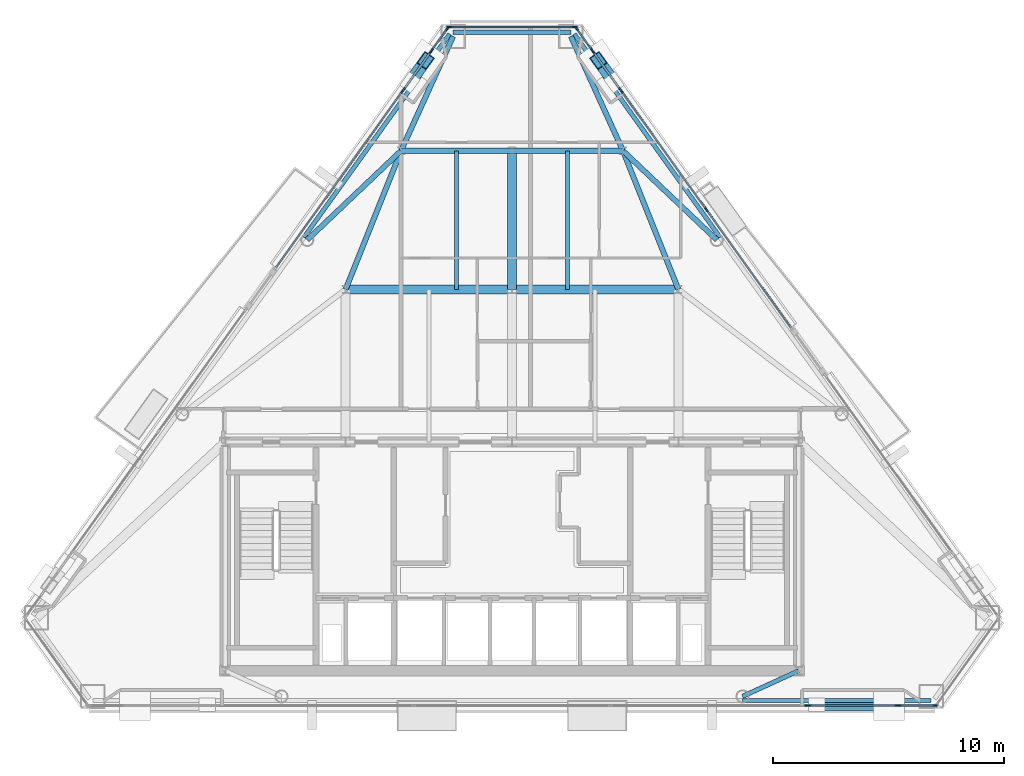
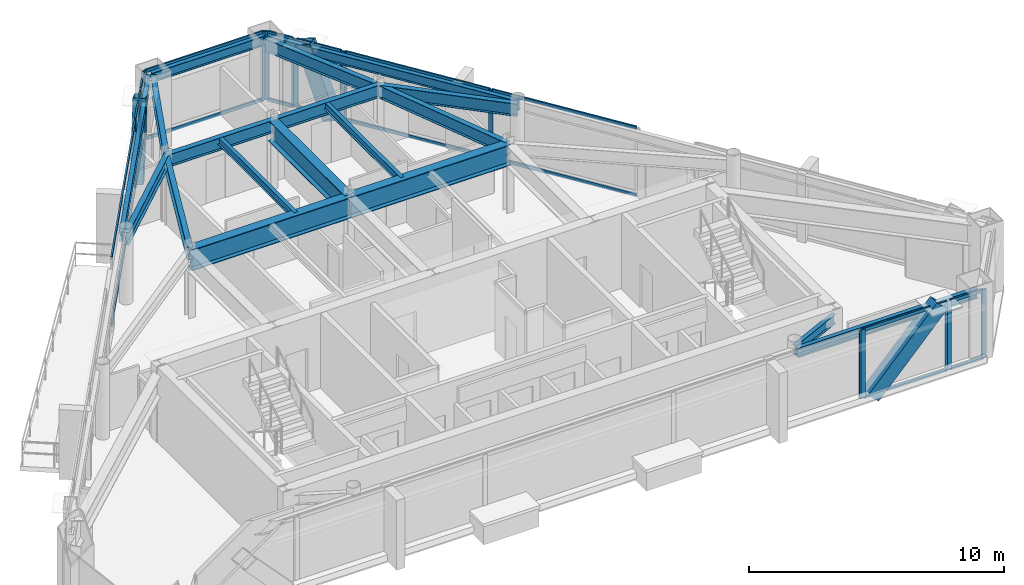
# One storey, part 4 of 11: 41 members, 18 beams, 10 elements without a shape of their own.
"""IFC4 building model written with IfcOpenShell, lengths in metres."""

from ifc_helpers import new_model, si_unit, direction, frame, origin, origin_2d, place, context, subcontext, project, spatial, rectangle, hollow_rectangle, i_section, extrude, material, layer, layer_set, material_profile, profile_set, type_object, element, aggregate, save


model = new_model("IFC4")

# Units and contexts
model_context = context("Model", 3, precision=1e-05, world=origin(), true_north=direction((0.0, 1.0)))
body_context = subcontext(model_context, "Body", "Model", "MODEL_VIEW")
ifc_project = project(units=[si_unit("LENGTHUNIT", "METRE"), si_unit("AREAUNIT", "SQUARE_METRE"), si_unit("VOLUMEUNIT", "CUBIC_METRE"), si_unit("PLANEANGLEUNIT", "RADIAN"), si_unit("MASSUNIT", "GRAM", prefix="KILO")], contexts=[model_context])

# Site, building, storey
site_placement = place(None, origin())
site = spatial("IfcSite", under=ifc_project, at=site_placement, CompositionType="ELEMENT")
building_placement = place(site_placement, origin())
building = spatial("IfcBuilding", under=site, at=building_placement, Name="Talgorran Terracotta Tower", CompositionType="ELEMENT")
storey_placement = place(building_placement, frame((0.0, 0.0, 240.60009765625)))
storey = spatial("IfcBuildingStorey", under=building, at=storey_placement, Name="L63", CompositionType="ELEMENT", Elevation=240.60009765625)

# Beams
ifc_material_1 = material(Name="Steel Grade 350 (350L0)", Category="steel")
ifc_material_profile_1 = material_profile(ifc_material_1, i_section(OverallWidth=0.39990234375, OverallDepth=1.0, WebThickness=0.01611328125, FlangeThickness=0.031005859375, at=origin_2d()), Name="1000WB296")
ifc_profile_set_1 = profile_set([ifc_material_profile_1], Name="Steel Grade 350 (350L0)")
beam_type_1 = type_object("IfcBeamType", Name="BM_1000WB296", PredefinedType="BEAM", material=ifc_profile_set_1)
for number, where, z_axis, x_axis, name in (
    (1, (-7.199951171875, 2.39990234375, 2.77978515625), (1.0, 0.0, 0.0), (0.0, 1.0, 0.0), "L63 Floor Girder G04"),
    (2, (0.0, 2.39990234375, 2.77978515625), (1.0, 0.0, 0.0), (0.0, 1.0, 0.0), "L63 Floor Girder G05"),
):
    element("IfcBeam", number, at=place(storey_placement, frame(where, z_axis=z_axis, x_axis=x_axis)), inside=storey, type_object=beam_type_1, Name=name, PredefinedType="BEAM", context=body_context, shape_type="SweptSolid", body=[
        extrude(i_section(OverallWidth=0.39990234375, OverallDepth=1.0, WebThickness=0.01611328125, FlangeThickness=0.031005859375, at=origin_2d()), origin(), (0.0, 0.0, 1.0), 7.199951171875),
    ])
beam_1_placement = place(storey_placement, frame((0.0, 2.39990234375, 2.77978515625), z_axis=(0.0, 1.0, 0.0), x_axis=(-1.0, 0.0, 0.0)))
element("IfcBeam", 3, at=beam_1_placement, inside=storey, type_object=beam_type_1, Name="L63 Floor Girder G09", PredefinedType="BEAM", context=body_context, shape_type="SweptSolid", body=[
    extrude(i_section(OverallWidth=0.39990234375, OverallDepth=1.0, WebThickness=0.01611328125, FlangeThickness=0.031005859375, at=origin_2d()), origin(), (0.0, 0.0, 1.0), 6.0),
])
ifc_material_2 = material(Name="Steel S355 (300PLUS)", Category="steel")
ifc_material_profile_2 = material_profile(ifc_material_2, i_section(OverallWidth=0.22802734375, OverallDepth=0.60205078125, WebThickness=0.010498046875, FlangeThickness=0.014892578125, at=origin_2d()), Name="610UB101")
ifc_profile_set_2 = profile_set([ifc_material_profile_2], Name="Steel S355 (300PLUS)")
beam_type_2 = type_object("IfcBeamType", Name="BM_610UB101", PredefinedType="BEAM", material=ifc_profile_set_2)
for number, where, z_axis, x_axis, name in (
    (4, (-7.199951171875, 2.39990234375, 2.97900390625), (0.371377648723, 0.928481901832, 0.0), (-0.928481901832, 0.371377648723, 0.0), "L63 Floor Girder G08"),
    (5, (7.199951171875, 2.39990234375, 2.97900390625), (-0.371377648723, 0.928481901832, 0.0), (-0.928481901832, -0.371377648723, 0.0), "L63 Floor Girder G10"),
):
    element("IfcBeam", number, at=place(storey_placement, frame(where, z_axis=z_axis, x_axis=x_axis)), inside=storey, type_object=beam_type_2, Name=name, PredefinedType="BEAM", context=body_context, shape_type="SweptSolid", body=[
        extrude(i_section(OverallWidth=0.22802734375, OverallDepth=0.60205078125, WebThickness=0.010498046875, FlangeThickness=0.014892578125, at=origin_2d()), origin(), (0.0, 0.0, 1.0), 6.462158203125),
    ])
for number, where, z_axis, x_axis, name in (
    (6, (-4.800048828125, 8.39990234375, 2.97900390625), (1.0, 0.0, 0.0), (0.0, 1.0, 0.0), "L63 Floor Girder G11"),
    (7, (0.0, 8.39990234375, 2.97900390625), (1.0, 0.0, 0.0), (0.0, 1.0, 0.0), "L63 Floor Girder G12"),
):
    element("IfcBeam", number, at=place(storey_placement, frame(where, z_axis=z_axis, x_axis=x_axis)), inside=storey, type_object=beam_type_2, Name=name, PredefinedType="BEAM", context=body_context, shape_type="SweptSolid", body=[
        extrude(i_section(OverallWidth=0.22802734375, OverallDepth=0.60205078125, WebThickness=0.010498046875, FlangeThickness=0.014892578125, at=origin_2d()), origin(), (0.0, 0.0, 1.0), 4.800048828125),
    ])
for number, where, z_axis, x_axis, name in (
    (8, (-4.800048828125, 8.39990234375, 2.97900390625), (-0.725126847578, -0.688615317083, 0.0), (0.688615317083, -0.725126847578, 0.0), "L63 Floor Girder G13"),
    (9, (4.800048828125, 8.39990234375, 2.97900390625), (0.725126847578, -0.688615317083, 0.0), (0.688615317083, 0.725126847578, 0.0), "L63 Floor Girder G14"),
):
    element("IfcBeam", number, at=place(storey_placement, frame(where, z_axis=z_axis, x_axis=x_axis)), inside=storey, type_object=beam_type_2, Name=name, PredefinedType="BEAM", context=body_context, shape_type="SweptSolid", body=[
        extrude(i_section(OverallWidth=0.22802734375, OverallDepth=0.60205078125, WebThickness=0.010498046875, FlangeThickness=0.014892578125, at=origin_2d()), origin(), (0.0, 0.0, 1.0), 5.5966796875),
    ])
for number, where, z_axis, x_axis, name in (
    (10, (-4.800048828125, 8.39990234375, 2.97900390625), (0.414262979991, 0.910157230048, 0.0), (-0.910157230048, 0.414262979991, 0.0), "L63 Floor Girder G15"),
    (11, (4.800048828125, 8.39990234375, 2.97900390625), (-0.414262979991, 0.910157230048, 0.0), (-0.910157230048, -0.414262979991, 0.0), "L63 Floor Girder G16"),
):
    element("IfcBeam", number, at=place(storey_placement, frame(where, z_axis=z_axis, x_axis=x_axis)), inside=storey, type_object=beam_type_2, Name=name, PredefinedType="BEAM", context=body_context, shape_type="SweptSolid", body=[
        extrude(i_section(OverallWidth=0.22802734375, OverallDepth=0.60205078125, WebThickness=0.010498046875, FlangeThickness=0.014892578125, at=origin_2d()), origin(), (0.0, 0.0, 1.0), 5.437255859375),
    ])
ifc_material_profile_3 = material_profile(ifc_material_2, i_section(OverallWidth=0.17138671875, OverallDepth=0.355712890625, WebThickness=0.00732421875, FlangeThickness=0.011474609375, at=origin_2d()), Name="360UB50.7")
ifc_profile_set_3 = profile_set([ifc_material_profile_3], Name="Steel S355 (300PLUS)")
beam_type_3 = type_object("IfcBeamType", Name="BM_JS_360UB51", PredefinedType="JOIST", material=ifc_profile_set_3)
for number, where, z_axis, x_axis, name in (
    (12, (-2.39990234375, 2.39990234375, 3.10205078125), (0.0, 1.0, 0.0), (-1.0, 0.0, 0.0), "L63 Secondary Joist J03"),
    (13, (2.39990234375, 2.39990234375, 3.10205078125), (0.0, 1.0, 0.0), (-1.0, 0.0, 0.0), "L63 Secondary Joist J04"),
):
    element("IfcBeam", number, at=place(storey_placement, frame(where, z_axis=z_axis, x_axis=x_axis)), inside=storey, type_object=beam_type_3, Name=name, PredefinedType="JOIST", context=body_context, shape_type="SweptSolid", body=[
        extrude(i_section(OverallWidth=0.17138671875, OverallDepth=0.355712890625, WebThickness=0.00732421875, FlangeThickness=0.011474609375, at=origin_2d()), origin(), (0.0, 0.0, 1.0), 6.0),
    ])
ifc_material_profile_4 = material_profile(ifc_material_2, i_section(OverallWidth=0.18994140625, OverallDepth=0.45703125, WebThickness=0.009033203125, FlangeThickness=0.014404296875, at=origin_2d()), Name="460UB74.6")
ifc_profile_set_4 = profile_set([ifc_material_profile_4], Name="Steel S355 (300PLUS)")
beam_type_4 = type_object("IfcBeamType", Name="BM_SP_460UB74", PredefinedType="SPANDREL", material=ifc_profile_set_4)
beam_2_placement = place(storey_placement, frame((9.9755859375, -15.3876953125, 3.051513671875), z_axis=(1.0, 0.0, 0.0), x_axis=(0.0, 1.0, 0.0)))
element("IfcBeam", 14, at=beam_2_placement, inside=storey, type_object=beam_type_4, Name="L63 Perimeter Spandrel Beam FC2-MC3", PredefinedType="SPANDREL", context=body_context, shape_type="SweptSolid", body=[
    extrude(i_section(OverallWidth=0.18994140625, OverallDepth=0.45703125, WebThickness=0.009033203125, FlangeThickness=0.014404296875, at=origin_2d()), origin(), (0.0, 0.0, 1.0), 8.16162109375),
])
beam_3_placement = place(storey_placement, frame((9.0048828125, 4.65087890625, 3.051513671875), z_axis=(-0.5826658635, 0.812711813321, 0.0), x_axis=(-0.812711813321, -0.5826658635, 0.0)))
element("IfcBeam", 15, at=beam_3_placement, inside=storey, type_object=beam_type_4, Name="L63 Perimeter Spandrel Beam FC4-MC5", PredefinedType="SPANDREL", context=body_context, shape_type="SweptSolid", body=[
    extrude(i_section(OverallWidth=0.18994140625, OverallDepth=0.45703125, WebThickness=0.009033203125, FlangeThickness=0.014404296875, at=origin_2d()), origin(), (0.0, 0.0, 1.0), 10.831298828125),
])
beam_4_placement = place(storey_placement, frame((2.547607421875, 13.528564453125, 3.051513671875), z_axis=(-1.0, 0.0, 0.0), x_axis=(0.0, -1.0, 0.0)))
element("IfcBeam", 16, at=beam_4_placement, inside=storey, type_object=beam_type_4, Name="L63 Perimeter Spandrel Beam MC5-MC6", PredefinedType="SPANDREL", context=body_context, shape_type="SweptSolid", body=[
    extrude(i_section(OverallWidth=0.18994140625, OverallDepth=0.45703125, WebThickness=0.009033203125, FlangeThickness=0.014404296875, at=origin_2d()), origin(), (0.0, 0.0, 1.0), 5.09521484375),
])
beam_5_placement = place(storey_placement, frame((-2.69384765625, 13.45361328125, 3.051513671875), z_axis=(-0.5826658635, -0.812711813321, 0.0), x_axis=(0.812711813321, -0.5826658635, 0.0)))
element("IfcBeam", 17, at=beam_5_placement, inside=storey, type_object=beam_type_4, Name="L63 Perimeter Spandrel Beam MC6-FC5", PredefinedType="SPANDREL", context=body_context, shape_type="SweptSolid", body=[
    extrude(i_section(OverallWidth=0.18994140625, OverallDepth=0.45703125, WebThickness=0.009033203125, FlangeThickness=0.014404296875, at=origin_2d()), origin(), (0.0, 0.0, 1.0), 10.831298828125),
])
beam_6_placement = place(storey_placement, frame((12.39990234375, -14.10009765625, 3.051513671875), z_axis=(-0.909558570389, -0.415575753661, 0.0), x_axis=(0.415575753661, -0.909558570389, 0.0)))
element("IfcBeam", 18, at=beam_6_placement, inside=storey, type_object=beam_type_4, Name="L63 South-East Core Tie Beam", PredefinedType="SPANDREL", context=body_context, shape_type="SweptSolid", body=[
    extrude(i_section(OverallWidth=0.18994140625, OverallDepth=0.45703125, WebThickness=0.009033203125, FlangeThickness=0.014404296875, at=origin_2d()), origin(), (0.0, 0.0, 1.0), 2.665283203125),
])

# Members
ifc_material_profile_5 = material_profile(ifc_material_1, hollow_rectangle(XDim=0.52001953125, YDim=0.659912109375, WallThickness=0.034912109375, at=origin_2d()), Name="WBOX660X520X35")
ifc_profile_set_5 = profile_set([ifc_material_profile_5], Name="Steel Grade 350 (350L0)")
member_type_1 = type_object("IfcMemberType", Name="MB_MEGA_660", PredefinedType="BRACE", material=ifc_profile_set_5)
member_1_placement = place(storey_placement, frame((13.19189453125, -15.56787109375, -0.025146484375), z_axis=(0.683100018247, 0.0, 0.73032483531), x_axis=(0.0, 1.0, 0.0)))
element("IfcMember", 19, at=member_1_placement, inside=storey, type_object=member_type_1, Name="L63 Exterior Face Mega-Brace MB-3 (SEF)", PredefinedType="BRACE", context=body_context, shape_type="SweptSolid", body=[
    extrude(hollow_rectangle(XDim=0.52001953125, YDim=0.659912109375, WallThickness=0.034912109375, at=origin_2d()), origin(), (0.0, 0.0, 1.0), 4.559814453125),
])
for number, where, z_axis, x_axis, name in (
    (20, (4.414794921875, 11.361572265625, -0.025146484375), (-0.191823741861, 0.26762561748, 0.944235236012), (-0.81278062657, -0.582569869691, 0.0), "L63 Exterior Face Mega-Brace MB-3 (NEU)"),
    (21, (-4.414794921875, 11.361572265625, -0.025146484375), (0.191823741861, 0.26762561748, 0.944235236012), (-0.81278062657, 0.582569869691, 0.0), "L63 Exterior Face Mega-Brace MB-3 (NWU)"),
):
    element("IfcMember", number, at=place(storey_placement, frame(where, z_axis=z_axis, x_axis=x_axis)), inside=storey, type_object=member_type_1, Name=name, PredefinedType="BRACE", context=body_context, shape_type="SweptSolid", body=[
        extrude(hollow_rectangle(XDim=0.52001953125, YDim=0.659912109375, WallThickness=0.034912109375, at=origin_2d()), origin(), (0.0, 0.0, 1.0), 3.52685546875),
    ])

# Curtain wall, member
ifc_material_3 = material(Name="High-Wind Unitised Glazing", Category="glass")
ifc_layer = layer(ifc_material_3, 0.2099609375, Name="CW_SYS3_RES_HIGH")
ifc_layer_set = layer_set([ifc_layer], Name="High-Wind Unitised Glazing")
curtain_wall_type = type_object("IfcCurtainWallType", Name="CW_SYS3_RES_HIGH", PredefinedType="NOTDEFINED", material=ifc_layer_set)
curtain_wall_1_placement = place(storey_placement, origin())
curtain_wall_1 = element("IfcCurtainWall", 22, at=curtain_wall_1_placement, inside=storey, type_object=curtain_wall_type, Name="CW-L63-F1C", PredefinedType="NOTDEFINED")
ifc_material_4 = material(Name="Architectural Aluminium 6063-T6", Category="aluminium")
ifc_material_profile_6 = material_profile(ifc_material_4, rectangle(XDim=0.070068359375, YDim=0.199951171875, at=origin_2d()), Name="CWM70X200")
ifc_profile_set_6 = profile_set([ifc_material_profile_6], Name="Architectural Aluminium 6063-T6")
member_type_2 = type_object("IfcMemberType", Name="MUL_70X200", PredefinedType="MULLION", material=ifc_profile_set_6)
member_2_placement = place(storey_placement, frame((12.7607421875, -15.60791015625, 0.0), z_axis=(0.0, 0.0, 1.0), x_axis=(0.0, 1.0, 0.0)))
member_2 = element("IfcMember", 23, at=member_2_placement, type_object=member_type_2, Name="CW-L63-1C mullion 4", PredefinedType="MULLION", context=body_context, shape_type="SweptSolid", body=[
    extrude(rectangle(XDim=0.070068359375, YDim=0.199951171875, at=origin_2d()), origin(), (0.0, 0.0, 1.0), 3.27978515625),
])
aggregate(curtain_wall_1, [member_2])

# Curtain wall, members
curtain_wall_2_placement = place(storey_placement, origin())
curtain_wall_2 = element("IfcCurtainWall", 24, at=curtain_wall_2_placement, inside=storey, type_object=curtain_wall_type, Name="CW-L63-F1D", PredefinedType="NOTDEFINED")
member_3_placement = place(storey_placement, frame((12.8408203125, -15.60791015625, 0.0), z_axis=(0.0, 0.0, 1.0), x_axis=(0.0, 1.0, 0.0)))
member_3 = element("IfcMember", 25, at=member_3_placement, type_object=member_type_2, Name="CW-L63-1D mullion 1", PredefinedType="MULLION", context=body_context, shape_type="SweptSolid", body=[
    extrude(rectangle(XDim=0.070068359375, YDim=0.199951171875, at=origin_2d()), origin(), (0.0, 0.0, 1.0), 3.27978515625),
])
member_4_placement = place(storey_placement, frame((16.65771484375, -15.60791015625, 0.0), z_axis=(0.0, 0.0, 1.0), x_axis=(0.0, 1.0, 0.0)))
member_4 = element("IfcMember", 26, at=member_4_placement, type_object=member_type_2, Name="CW-L63-1D mullion 2", PredefinedType="MULLION", context=body_context, shape_type="SweptSolid", body=[
    extrude(rectangle(XDim=0.070068359375, YDim=0.199951171875, at=origin_2d()), origin(), (0.0, 0.0, 1.0), 3.27978515625),
])

curtain_wall_3_placement = place(storey_placement, origin())
curtain_wall_3 = element("IfcCurtainWall", 27, at=curtain_wall_3_placement, inside=storey, type_object=curtain_wall_type, Name="CW-L63-F1E", PredefinedType="NOTDEFINED")
member_5_placement = place(storey_placement, frame((16.737548828125, -15.60791015625, 0.0), z_axis=(0.0, 0.0, 1.0), x_axis=(0.0, 1.0, 0.0)))
member_5 = element("IfcMember", 28, at=member_5_placement, type_object=member_type_2, Name="CW-L63-1E mullion 1", PredefinedType="MULLION", context=body_context, shape_type="SweptSolid", body=[
    extrude(rectangle(XDim=0.070068359375, YDim=0.199951171875, at=origin_2d()), origin(), (0.0, 0.0, 1.0), 3.27978515625),
])
member_6_placement = place(storey_placement, frame((18.3076171875, -15.60791015625, 0.0), z_axis=(0.0, 0.0, 1.0), x_axis=(0.0, 1.0, 0.0)))
member_6 = element("IfcMember", 29, at=member_6_placement, type_object=member_type_2, Name="CW-L63-1E mullion 2", PredefinedType="MULLION", context=body_context, shape_type="SweptSolid", body=[
    extrude(rectangle(XDim=0.070068359375, YDim=0.199951171875, at=origin_2d()), origin(), (0.0, 0.0, 1.0), 3.27978515625),
])

curtain_wall_4_placement = place(storey_placement, origin())
curtain_wall_4 = element("IfcCurtainWall", 30, at=curtain_wall_4_placement, inside=storey, type_object=curtain_wall_type, Name="CW-L63-F41", PredefinedType="NOTDEFINED")
member_7_placement = place(storey_placement, frame((8.412109375, 5.85498046875, 0.0), z_axis=(0.0, 0.0, 1.0), x_axis=(-0.812715136848, -0.582661227763, 0.0)))
member_7 = element("IfcMember", 31, at=member_7_placement, type_object=member_type_2, Name="CW-L63-41 mullion 2", PredefinedType="MULLION", context=body_context, shape_type="SweptSolid", body=[
    extrude(rectangle(XDim=0.070068359375, YDim=0.199951171875, at=origin_2d()), origin(), (0.0, 0.0, 1.0), 3.27978515625),
])
member_8_placement = place(storey_placement, frame((4.73974609375, 10.977294921875, 0.0), z_axis=(0.0, 0.0, 1.0), x_axis=(-0.812715136848, -0.582661227763, 0.0)))
member_8 = element("IfcMember", 32, at=member_8_placement, type_object=member_type_2, Name="CW-L63-41 mullion 3", PredefinedType="MULLION", context=body_context, shape_type="SweptSolid", body=[
    extrude(rectangle(XDim=0.070068359375, YDim=0.199951171875, at=origin_2d()), origin(), (0.0, 0.0, 1.0), 3.27978515625),
])

curtain_wall_5_placement = place(storey_placement, origin())
curtain_wall_5 = element("IfcCurtainWall", 33, at=curtain_wall_5_placement, inside=storey, type_object=curtain_wall_type, Name="CW-L63-F41B", PredefinedType="NOTDEFINED")
member_9_placement = place(storey_placement, frame((4.693115234375, 11.042236328125, 0.0), z_axis=(0.0, 0.0, 1.0), x_axis=(-0.812702995802, -0.582678162123, 0.0)))
member_9 = element("IfcMember", 34, at=member_9_placement, type_object=member_type_2, Name="CW-L63-41B mullion 1", PredefinedType="MULLION", context=body_context, shape_type="SweptSolid", body=[
    extrude(rectangle(XDim=0.070068359375, YDim=0.199951171875, at=origin_2d()), origin(), (0.0, 0.0, 1.0), 3.27978515625),
])
member_10_placement = place(storey_placement, frame((3.525146484375, 12.67138671875, 0.0), z_axis=(0.0, 0.0, 1.0), x_axis=(-0.812702995802, -0.582678162123, 0.0)))
member_10 = element("IfcMember", 35, at=member_10_placement, type_object=member_type_2, Name="CW-L63-41B mullion 2", PredefinedType="MULLION", context=body_context, shape_type="SweptSolid", body=[
    extrude(rectangle(XDim=0.070068359375, YDim=0.199951171875, at=origin_2d()), origin(), (0.0, 0.0, 1.0), 3.27978515625),
])

curtain_wall_6_placement = place(storey_placement, origin())
curtain_wall_6 = element("IfcCurtainWall", 36, at=curtain_wall_6_placement, inside=storey, type_object=curtain_wall_type, Name="CW-L63-F41C", PredefinedType="NOTDEFINED")
member_11_placement = place(storey_placement, frame((3.478515625, 12.736572265625, 0.0), z_axis=(0.0, 0.0, 1.0), x_axis=(-0.812702588192, -0.582678730645, 0.0)))
member_11 = element("IfcMember", 37, at=member_11_placement, type_object=member_type_2, Name="CW-L63-41C mullion 1", PredefinedType="MULLION", context=body_context, shape_type="SweptSolid", body=[
    extrude(rectangle(XDim=0.070068359375, YDim=0.199951171875, at=origin_2d()), origin(), (0.0, 0.0, 1.0), 3.27978515625),
])
member_12_placement = place(storey_placement, frame((2.796630859375, 13.687744140625, 0.0), z_axis=(0.0, 0.0, 1.0), x_axis=(-0.812702588192, -0.582678730645, 0.0)))
member_12 = element("IfcMember", 38, at=member_12_placement, type_object=member_type_2, Name="CW-L63-41C mullion 2", PredefinedType="MULLION", context=body_context, shape_type="SweptSolid", body=[
    extrude(rectangle(XDim=0.070068359375, YDim=0.199951171875, at=origin_2d()), origin(), (0.0, 0.0, 1.0), 3.27978515625),
])

curtain_wall_7_placement = place(storey_placement, origin())
curtain_wall_7 = element("IfcCurtainWall", 39, at=curtain_wall_7_placement, inside=storey, type_object=curtain_wall_type, Name="CW-L63-F4", PredefinedType="NOTDEFINED")
member_13_placement = place(storey_placement, frame((2.718017578125, 13.74853515625, 0.0), z_axis=(0.0, 0.0, 1.0), x_axis=(0.0, -1.0, 0.0)))
member_13 = element("IfcMember", 40, at=member_13_placement, type_object=member_type_2, Name="CW-L63-4 mullion 1", PredefinedType="MULLION", context=body_context, shape_type="SweptSolid", body=[
    extrude(rectangle(XDim=0.070068359375, YDim=0.199951171875, at=origin_2d()), origin(), (0.0, 0.0, 1.0), 3.27978515625),
])
member_14_placement = place(storey_placement, frame((-2.718017578125, 13.74853515625, 0.0), z_axis=(0.0, 0.0, 1.0), x_axis=(0.0, -1.0, 0.0)))
member_14 = element("IfcMember", 41, at=member_14_placement, type_object=member_type_2, Name="CW-L63-4 mullion 2", PredefinedType="MULLION", context=body_context, shape_type="SweptSolid", body=[
    extrude(rectangle(XDim=0.070068359375, YDim=0.199951171875, at=origin_2d()), origin(), (0.0, 0.0, 1.0), 3.27978515625),
])

curtain_wall_8_placement = place(storey_placement, origin())
curtain_wall_8 = element("IfcCurtainWall", 42, at=curtain_wall_8_placement, inside=storey, type_object=curtain_wall_type, Name="CW-L63-F60", PredefinedType="NOTDEFINED")
member_15_placement = place(storey_placement, frame((-2.796630859375, 13.687744140625, 0.0), z_axis=(0.0, 0.0, 1.0), x_axis=(0.812702588192, -0.582678730645, 0.0)))
member_15 = element("IfcMember", 43, at=member_15_placement, type_object=member_type_2, Name="CW-L63-60 mullion 1", PredefinedType="MULLION", context=body_context, shape_type="SweptSolid", body=[
    extrude(rectangle(XDim=0.070068359375, YDim=0.199951171875, at=origin_2d()), origin(), (0.0, 0.0, 1.0), 3.27978515625),
])
member_16_placement = place(storey_placement, frame((-3.478515625, 12.736572265625, 0.0), z_axis=(0.0, 0.0, 1.0), x_axis=(0.812702588192, -0.582678730645, 0.0)))
member_16 = element("IfcMember", 44, at=member_16_placement, type_object=member_type_2, Name="CW-L63-60 mullion 2", PredefinedType="MULLION", context=body_context, shape_type="SweptSolid", body=[
    extrude(rectangle(XDim=0.070068359375, YDim=0.199951171875, at=origin_2d()), origin(), (0.0, 0.0, 1.0), 3.27978515625),
])

curtain_wall_9_placement = place(storey_placement, origin())
curtain_wall_9 = element("IfcCurtainWall", 45, at=curtain_wall_9_placement, inside=storey, type_object=curtain_wall_type, Name="CW-L63-F60B", PredefinedType="NOTDEFINED")
member_17_placement = place(storey_placement, frame((-3.525146484375, 12.67138671875, 0.0), z_axis=(0.0, 0.0, 1.0), x_axis=(0.812702995802, -0.582678162123, 0.0)))
member_17 = element("IfcMember", 46, at=member_17_placement, type_object=member_type_2, Name="CW-L63-60B mullion 1", PredefinedType="MULLION", context=body_context, shape_type="SweptSolid", body=[
    extrude(rectangle(XDim=0.070068359375, YDim=0.199951171875, at=origin_2d()), origin(), (0.0, 0.0, 1.0), 3.27978515625),
])
member_18_placement = place(storey_placement, frame((-4.693115234375, 11.042236328125, 0.0), z_axis=(0.0, 0.0, 1.0), x_axis=(0.812702995802, -0.582678162123, 0.0)))
member_18 = element("IfcMember", 47, at=member_18_placement, type_object=member_type_2, Name="CW-L63-60B mullion 2", PredefinedType="MULLION", context=body_context, shape_type="SweptSolid", body=[
    extrude(rectangle(XDim=0.070068359375, YDim=0.199951171875, at=origin_2d()), origin(), (0.0, 0.0, 1.0), 3.27978515625),
])

# Curtain wall, member
curtain_wall_10_placement = place(storey_placement, origin())
curtain_wall_10 = element("IfcCurtainWall", 48, at=curtain_wall_10_placement, inside=storey, type_object=curtain_wall_type, Name="CW-L63-F60C", PredefinedType="NOTDEFINED")
member_19_placement = place(storey_placement, frame((-4.73974609375, 10.977294921875, 0.0), z_axis=(0.0, 0.0, 1.0), x_axis=(0.81271372901, -0.582663191457, 0.0)))
member_19 = element("IfcMember", 49, at=member_19_placement, type_object=member_type_2, Name="CW-L63-60C mullion 1", PredefinedType="MULLION", context=body_context, shape_type="SweptSolid", body=[
    extrude(rectangle(XDim=0.070068359375, YDim=0.199951171875, at=origin_2d()), origin(), (0.0, 0.0, 1.0), 3.27978515625),
])

# Member
ifc_material_profile_7 = material_profile(ifc_material_4, rectangle(XDim=0.070068359375, YDim=0.159912109375, at=origin_2d()), Name="CWT70X160")
ifc_profile_set_7 = profile_set([ifc_material_profile_7], Name="Architectural Aluminium 6063-T6")
member_type_3 = type_object("IfcMemberType", Name="TRN_70X160", PredefinedType="USERDEFINED", material=ifc_profile_set_7)
member_20_placement = place(storey_placement, frame((12.875732421875, -15.60791015625, 0.034912109375), z_axis=(1.0, 0.0, 0.0), x_axis=(0.0, 1.0, 0.0)))
member_20 = element("IfcMember", 50, at=member_20_placement, type_object=member_type_3, Name="CW-L63-1D transom 1.1", ObjectType="TRANSOM", PredefinedType="USERDEFINED", context=body_context, shape_type="SweptSolid", body=[
    extrude(rectangle(XDim=0.070068359375, YDim=0.159912109375, at=origin_2d()), origin(), (0.0, 0.0, 1.0), 3.746826171875),
])

member_21_placement = place(storey_placement, frame((12.875732421875, -15.60791015625, 3.244873046875), z_axis=(1.0, 0.0, 0.0), x_axis=(0.0, 1.0, 0.0)))
member_21 = element("IfcMember", 51, at=member_21_placement, type_object=member_type_3, Name="CW-L63-1D transom 1.2", ObjectType="TRANSOM", PredefinedType="USERDEFINED", context=body_context, shape_type="SweptSolid", body=[
    extrude(rectangle(XDim=0.070068359375, YDim=0.159912109375, at=origin_2d()), origin(), (0.0, 0.0, 1.0), 3.746826171875),
])

aggregate(curtain_wall_2, [member_3, member_4, member_20, member_21])

member_22_placement = place(storey_placement, frame((16.772705078125, -15.60791015625, 0.034912109375), z_axis=(1.0, 0.0, 0.0), x_axis=(0.0, 1.0, 0.0)))
member_22 = element("IfcMember", 52, at=member_22_placement, type_object=member_type_3, Name="CW-L63-1E transom 1.1", ObjectType="TRANSOM", PredefinedType="USERDEFINED", context=body_context, shape_type="SweptSolid", body=[
    extrude(rectangle(XDim=0.070068359375, YDim=0.159912109375, at=origin_2d()), origin(), (0.0, 0.0, 1.0), 1.5),
])

member_23_placement = place(storey_placement, frame((16.772705078125, -15.60791015625, 3.244873046875), z_axis=(1.0, 0.0, 0.0), x_axis=(0.0, 1.0, 0.0)))
member_23 = element("IfcMember", 53, at=member_23_placement, type_object=member_type_3, Name="CW-L63-1E transom 1.2", ObjectType="TRANSOM", PredefinedType="USERDEFINED", context=body_context, shape_type="SweptSolid", body=[
    extrude(rectangle(XDim=0.070068359375, YDim=0.159912109375, at=origin_2d()), origin(), (0.0, 0.0, 1.0), 1.5),
])

aggregate(curtain_wall_3, [member_5, member_6, member_22, member_23])

member_24_placement = place(storey_placement, frame((12.06396484375, 0.76123046875, 0.034912109375), z_axis=(-0.582663854337, 0.812713253767, 0.0), x_axis=(-0.812713253767, -0.582663854337, 0.0)))
member_24 = element("IfcMember", 54, at=member_24_placement, type_object=member_type_3, Name="CW-L63-41 transom 1.1", ObjectType="TRANSOM", PredefinedType="USERDEFINED", context=body_context, shape_type="SweptSolid", body=[
    extrude(rectangle(XDim=0.070068359375, YDim=0.159912109375, at=origin_2d()), origin(), (0.0, 0.0, 1.0), 6.232666015625),
])

member_25_placement = place(storey_placement, frame((12.06396484375, 0.76123046875, 3.244873046875), z_axis=(-0.582663854337, 0.812713253767, 0.0), x_axis=(-0.812713253767, -0.582663854337, 0.0)))
member_25 = element("IfcMember", 55, at=member_25_placement, type_object=member_type_3, Name="CW-L63-41 transom 1.2", ObjectType="TRANSOM", PredefinedType="USERDEFINED", context=body_context, shape_type="SweptSolid", body=[
    extrude(rectangle(XDim=0.070068359375, YDim=0.159912109375, at=origin_2d()), origin(), (0.0, 0.0, 1.0), 6.232666015625),
])

member_26_placement = place(storey_placement, frame((8.3916015625, 5.883544921875, 0.034912109375), z_axis=(-0.582637981107, 0.812731802609, 0.0), x_axis=(-0.812731802609, -0.582637981107, 0.0)))
member_26 = element("IfcMember", 56, at=member_26_placement, type_object=member_type_3, Name="CW-L63-41 transom 2.1", ObjectType="TRANSOM", PredefinedType="USERDEFINED", context=body_context, shape_type="SweptSolid", body=[
    extrude(rectangle(XDim=0.070068359375, YDim=0.159912109375, at=origin_2d()), origin(), (0.0, 0.0, 1.0), 6.232666015625),
])

member_27_placement = place(storey_placement, frame((8.3916015625, 5.883544921875, 3.244873046875), z_axis=(-0.582637981107, 0.812731802609, 0.0), x_axis=(-0.812731802609, -0.582637981107, 0.0)))
member_27 = element("IfcMember", 57, at=member_27_placement, type_object=member_type_3, Name="CW-L63-41 transom 2.2", ObjectType="TRANSOM", PredefinedType="USERDEFINED", context=body_context, shape_type="SweptSolid", body=[
    extrude(rectangle(XDim=0.070068359375, YDim=0.159912109375, at=origin_2d()), origin(), (0.0, 0.0, 1.0), 6.232666015625),
])

aggregate(curtain_wall_4, [member_7, member_8, member_24, member_25, member_26, member_27])

member_28_placement = place(storey_placement, frame((4.672607421875, 11.07080078125, 0.034912109375), z_axis=(-0.582657892402, 0.812717528063, 0.0), x_axis=(-0.812717528063, -0.582657892402, 0.0)))
member_28 = element("IfcMember", 58, at=member_28_placement, type_object=member_type_3, Name="CW-L63-41B transom 1.1", ObjectType="TRANSOM", PredefinedType="USERDEFINED", context=body_context, shape_type="SweptSolid", body=[
    extrude(rectangle(XDim=0.070068359375, YDim=0.159912109375, at=origin_2d()), origin(), (0.0, 0.0, 1.0), 1.9345703125),
])

member_29_placement = place(storey_placement, frame((4.672607421875, 11.07080078125, 3.244873046875), z_axis=(-0.582657892402, 0.812717528063, 0.0), x_axis=(-0.812717528063, -0.582657892402, 0.0)))
member_29 = element("IfcMember", 59, at=member_29_placement, type_object=member_type_3, Name="CW-L63-41B transom 1.2", ObjectType="TRANSOM", PredefinedType="USERDEFINED", context=body_context, shape_type="SweptSolid", body=[
    extrude(rectangle(XDim=0.070068359375, YDim=0.159912109375, at=origin_2d()), origin(), (0.0, 0.0, 1.0), 1.9345703125),
])

aggregate(curtain_wall_5, [member_9, member_10, member_28, member_29])

member_30_placement = place(storey_placement, frame((3.4580078125, 12.764892578125, 0.034912109375), z_axis=(-0.582643533088, 0.81272782243, 0.0), x_axis=(-0.81272782243, -0.582643533088, 0.0)))
member_30 = element("IfcMember", 60, at=member_30_placement, type_object=member_type_3, Name="CW-L63-41C transom 1.1", ObjectType="TRANSOM", PredefinedType="USERDEFINED", context=body_context, shape_type="SweptSolid", body=[
    extrude(rectangle(XDim=0.070068359375, YDim=0.159912109375, at=origin_2d()), origin(), (0.0, 0.0, 1.0), 1.100341796875),
])

member_31_placement = place(storey_placement, frame((3.4580078125, 12.764892578125, 3.244873046875), z_axis=(-0.582643533088, 0.81272782243, 0.0), x_axis=(-0.81272782243, -0.582643533088, 0.0)))
member_31 = element("IfcMember", 61, at=member_31_placement, type_object=member_type_3, Name="CW-L63-41C transom 1.2", ObjectType="TRANSOM", PredefinedType="USERDEFINED", context=body_context, shape_type="SweptSolid", body=[
    extrude(rectangle(XDim=0.070068359375, YDim=0.159912109375, at=origin_2d()), origin(), (0.0, 0.0, 1.0), 1.100341796875),
])

aggregate(curtain_wall_6, [member_11, member_12, member_30, member_31])

member_32_placement = place(storey_placement, frame((2.682861328125, 13.74853515625, 0.034912109375), z_axis=(-1.0, 0.0, 0.0), x_axis=(0.0, -1.0, 0.0)))
member_32 = element("IfcMember", 62, at=member_32_placement, type_object=member_type_3, Name="CW-L63-4 transom 1.1", ObjectType="TRANSOM", PredefinedType="USERDEFINED", context=body_context, shape_type="SweptSolid", body=[
    extrude(rectangle(XDim=0.070068359375, YDim=0.159912109375, at=origin_2d()), origin(), (0.0, 0.0, 1.0), 5.36572265625),
])

member_33_placement = place(storey_placement, frame((2.682861328125, 13.74853515625, 3.244873046875), z_axis=(-1.0, 0.0, 0.0), x_axis=(0.0, -1.0, 0.0)))
member_33 = element("IfcMember", 63, at=member_33_placement, type_object=member_type_3, Name="CW-L63-4 transom 1.2", ObjectType="TRANSOM", PredefinedType="USERDEFINED", context=body_context, shape_type="SweptSolid", body=[
    extrude(rectangle(XDim=0.070068359375, YDim=0.159912109375, at=origin_2d()), origin(), (0.0, 0.0, 1.0), 5.36572265625),
])

aggregate(curtain_wall_7, [member_13, member_14, member_32, member_33])

member_34_placement = place(storey_placement, frame((-2.81689453125, 13.6591796875, 0.034912109375), z_axis=(-0.582643533088, -0.81272782243, 0.0), x_axis=(0.81272782243, -0.582643533088, 0.0)))
member_34 = element("IfcMember", 64, at=member_34_placement, type_object=member_type_3, Name="CW-L63-60 transom 1.1", ObjectType="TRANSOM", PredefinedType="USERDEFINED", context=body_context, shape_type="SweptSolid", body=[
    extrude(rectangle(XDim=0.070068359375, YDim=0.159912109375, at=origin_2d()), origin(), (0.0, 0.0, 1.0), 1.100341796875),
])

member_35_placement = place(storey_placement, frame((-2.81689453125, 13.6591796875, 3.244873046875), z_axis=(-0.582643533088, -0.81272782243, 0.0), x_axis=(0.81272782243, -0.582643533088, 0.0)))
member_35 = element("IfcMember", 65, at=member_35_placement, type_object=member_type_3, Name="CW-L63-60 transom 1.2", ObjectType="TRANSOM", PredefinedType="USERDEFINED", context=body_context, shape_type="SweptSolid", body=[
    extrude(rectangle(XDim=0.070068359375, YDim=0.159912109375, at=origin_2d()), origin(), (0.0, 0.0, 1.0), 1.100341796875),
])

aggregate(curtain_wall_8, [member_15, member_16, member_34, member_35])

member_36_placement = place(storey_placement, frame((-3.54541015625, 12.64306640625, 0.034912109375), z_axis=(-0.582657892402, -0.812717528063, 0.0), x_axis=(0.812717528063, -0.582657892402, 0.0)))
member_36 = element("IfcMember", 66, at=member_36_placement, type_object=member_type_3, Name="CW-L63-60B transom 1.1", ObjectType="TRANSOM", PredefinedType="USERDEFINED", context=body_context, shape_type="SweptSolid", body=[
    extrude(rectangle(XDim=0.070068359375, YDim=0.159912109375, at=origin_2d()), origin(), (0.0, 0.0, 1.0), 1.9345703125),
])

member_37_placement = place(storey_placement, frame((-3.54541015625, 12.64306640625, 3.244873046875), z_axis=(-0.582657892402, -0.812717528063, 0.0), x_axis=(0.812717528063, -0.582657892402, 0.0)))
member_37 = element("IfcMember", 67, at=member_37_placement, type_object=member_type_3, Name="CW-L63-60B transom 1.2", ObjectType="TRANSOM", PredefinedType="USERDEFINED", context=body_context, shape_type="SweptSolid", body=[
    extrude(rectangle(XDim=0.070068359375, YDim=0.159912109375, at=origin_2d()), origin(), (0.0, 0.0, 1.0), 1.9345703125),
])

aggregate(curtain_wall_9, [member_17, member_18, member_36, member_37])

member_38_placement = place(storey_placement, frame((-4.76025390625, 10.948974609375, 0.034912109375), z_axis=(-0.582663994134, -0.812713153542, 0.0), x_axis=(0.812713153542, -0.582663994134, 0.0)))
member_38 = element("IfcMember", 68, at=member_38_placement, type_object=member_type_3, Name="CW-L63-60C transom 1.1", ObjectType="TRANSOM", PredefinedType="USERDEFINED", context=body_context, shape_type="SweptSolid", body=[
    extrude(rectangle(XDim=0.070068359375, YDim=0.159912109375, at=origin_2d()), origin(), (0.0, 0.0, 1.0), 9.340087890625),
])

member_39_placement = place(storey_placement, frame((-4.76025390625, 10.948974609375, 3.244873046875), z_axis=(-0.582663994134, -0.812713153542, 0.0), x_axis=(0.812713153542, -0.582663994134, 0.0)))
member_39 = element("IfcMember", 69, at=member_39_placement, type_object=member_type_3, Name="CW-L63-60C transom 1.2", ObjectType="TRANSOM", PredefinedType="USERDEFINED", context=body_context, shape_type="SweptSolid", body=[
    extrude(rectangle(XDim=0.070068359375, YDim=0.159912109375, at=origin_2d()), origin(), (0.0, 0.0, 1.0), 9.340087890625),
])

aggregate(curtain_wall_10, [member_19, member_38, member_39])

save(model, "model.ifc")
